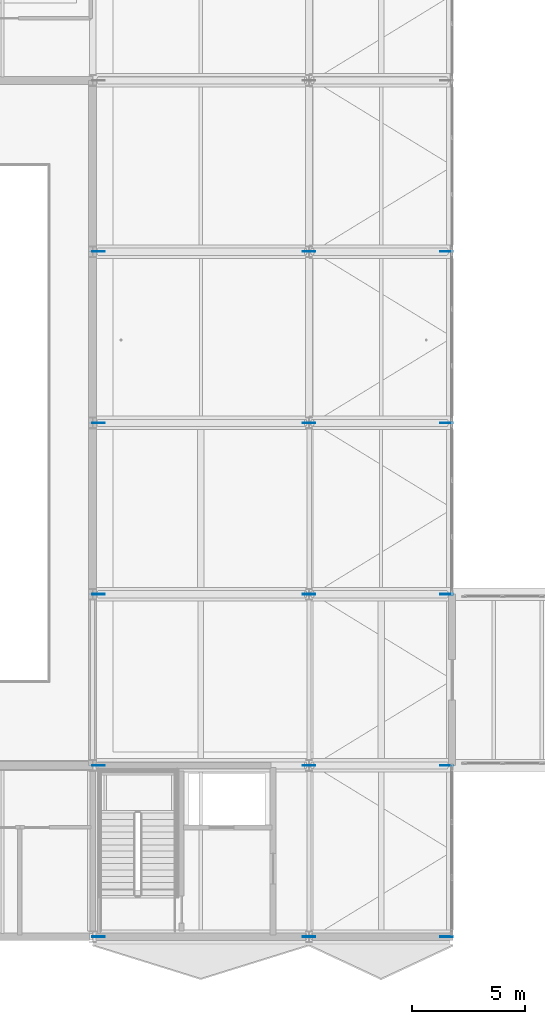
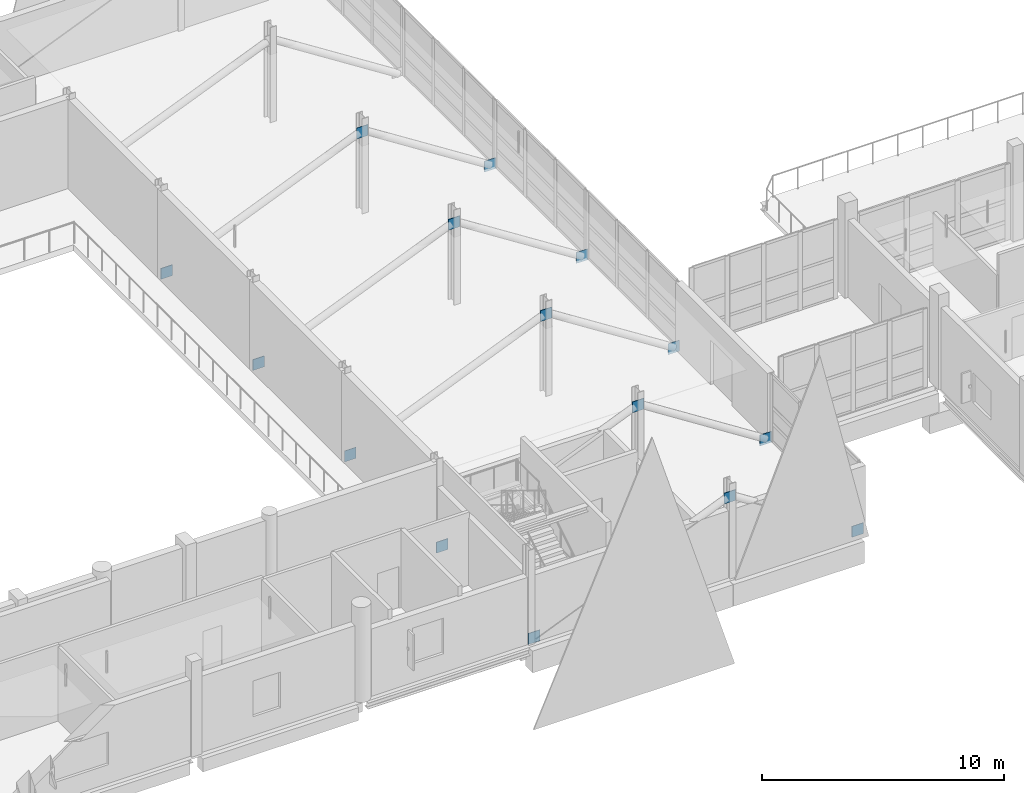
# One storey, part 80 of 147: 15 plates.
"""IFC4 building model written with IfcOpenShell, lengths in metres."""

from ifc_helpers import new_model, si_unit, direction, frame, origin, origin_2d, place, context, subcontext, project, spatial, rectangle, extrude, material, layer, layer_set, type_object, element, save


model = new_model("IFC4")

# Units and contexts
model_context = context("Model", 3, precision=1e-05, world=origin(), true_north=direction((0.0, 1.0)))
body_context = subcontext(model_context, "Body", "Model", "MODEL_VIEW")
ifc_project = project(units=[si_unit("LENGTHUNIT", "METRE"), si_unit("AREAUNIT", "SQUARE_METRE"), si_unit("VOLUMEUNIT", "CUBIC_METRE"), si_unit("PLANEANGLEUNIT", "RADIAN"), si_unit("MASSUNIT", "GRAM", prefix="KILO")], contexts=[model_context])

# Site, building, storey
site_placement = place(None, origin())
site = spatial("IfcSite", under=ifc_project, at=site_placement, CompositionType="ELEMENT")
building_placement = place(site_placement, origin())
building = spatial("IfcBuilding", under=site, at=building_placement, Name="Khelvaren Railside Concert Hall", CompositionType="ELEMENT")
storey_placement = place(building_placement, frame((0.0, 0.0, 5.39990234375)))
storey = spatial("IfcBuildingStorey", under=building, at=storey_placement, Name="L01", CompositionType="ELEMENT", Elevation=5.39990234375)

# Plates
ifc_material = material(Name="Steel S355", Category="steel")
ifc_layer = layer(ifc_material, 0.028076171875)
ifc_layer_set = layer_set([ifc_layer], Name="Steel S355")
plate_type = type_object("IfcPlateType", Name="GP71", PredefinedType="USERDEFINED", material=ifc_layer_set)
for number, where, z_axis, x_axis, name in (
    (1, (55.699951171875, 0.0, -0.125), (0.0, 0.0, 1.0), (1.0, 0.0, 0.0), "Cantilever Truss End Node Assembly L01-1-TIP"),
    (2, (49.60009765625, 0.0, 3.68505859375), (0.0, 0.0, 1.0), (1.0, 0.0, 0.0), "Cantilever Truss End Node Assembly L01-1-TOP"),
    (3, (40.25, 0.0, -0.125), (0.0, 0.0, 1.0), (1.0, 0.0, 0.0), "Cantilever Truss End Node Assembly L01-1-BS"),
    (4, (55.699951171875, 7.60009765625, -0.125), (0.0, 0.0, 1.0), (1.0, 0.0, 0.0), "Cantilever Truss End Node Assembly L01-2-TIP"),
    (5, (49.60009765625, 7.60009765625, 3.68505859375), (0.0, 0.0, 1.0), (1.0, 0.0, 0.0), "Cantilever Truss End Node Assembly L01-2-TOP"),
    (6, (40.25, 7.60009765625, -0.125), (0.0, 0.0, 1.0), (1.0, 0.0, 0.0), "Cantilever Truss End Node Assembly L01-2-BS"),
    (7, (55.699951171875, 15.199951171875, -0.125), (0.0, 0.0, 1.0), (1.0, 0.0, 0.0), "Cantilever Truss End Node Assembly L01-3-TIP"),
    (8, (49.60009765625, 15.199951171875, 3.68505859375), (0.0, 0.0, 1.0), (1.0, 0.0, 0.0), "Cantilever Truss End Node Assembly L01-3-TOP"),
    (9, (40.25, 15.199951171875, -0.125), (0.0, 0.0, 1.0), (1.0, 0.0, 0.0), "Cantilever Truss End Node Assembly L01-3-BS"),
    (10, (55.699951171875, 22.800048828125, -0.125), (0.0, 0.0, 1.0), (1.0, 0.0, 0.0), "Cantilever Truss End Node Assembly L01-4-TIP"),
    (11, (49.60009765625, 22.800048828125, 3.68505859375), (0.0, 0.0, 1.0), (1.0, 0.0, 0.0), "Cantilever Truss End Node Assembly L01-4-TOP"),
    (12, (40.25, 22.800048828125, -0.125), (0.0, 0.0, 1.0), (1.0, 0.0, 0.0), "Cantilever Truss End Node Assembly L01-4-BS"),
    (13, (55.699951171875, 30.39990234375, -0.125), (0.0, 0.0, 1.0), (1.0, 0.0, 0.0), "Cantilever Truss End Node Assembly L01-5-TIP"),
    (14, (49.60009765625, 30.39990234375, 3.68505859375), (0.0, 0.0, 1.0), (1.0, 0.0, 0.0), "Cantilever Truss End Node Assembly L01-5-TOP"),
    (15, (40.25, 30.39990234375, -0.125), (0.0, 0.0, 1.0), (1.0, 0.0, 0.0), "Cantilever Truss End Node Assembly L01-5-BS"),
):
    element("IfcPlate", number, at=place(storey_placement, frame(where, z_axis=z_axis, x_axis=x_axis)), inside=storey, type_object=plate_type, Name=name, ObjectType="GUSSET PLATE", PredefinedType="USERDEFINED", context=body_context, shape_type="SweptSolid", body=[
        extrude(rectangle(XDim=0.550048828125, YDim=0.028076171875, at=origin_2d()), origin(), (0.0, 0.0, 1.0), 0.550048828125),
    ])

save(model, "model.ifc")
